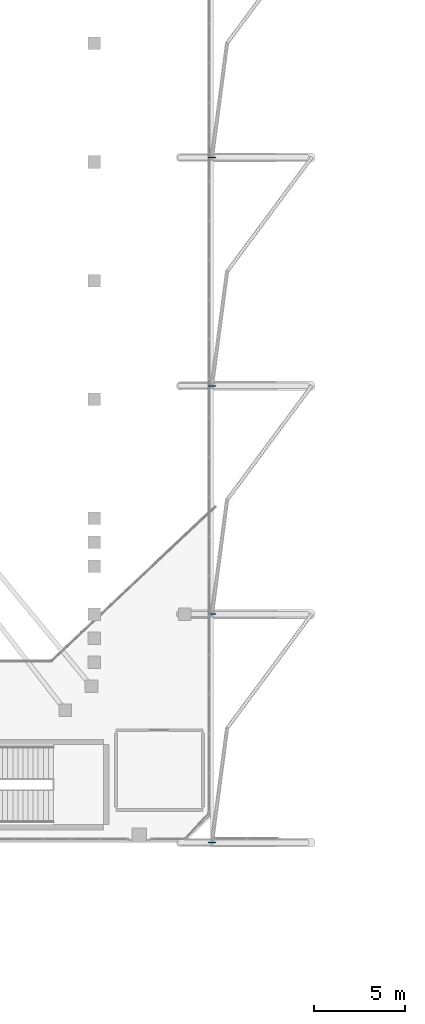
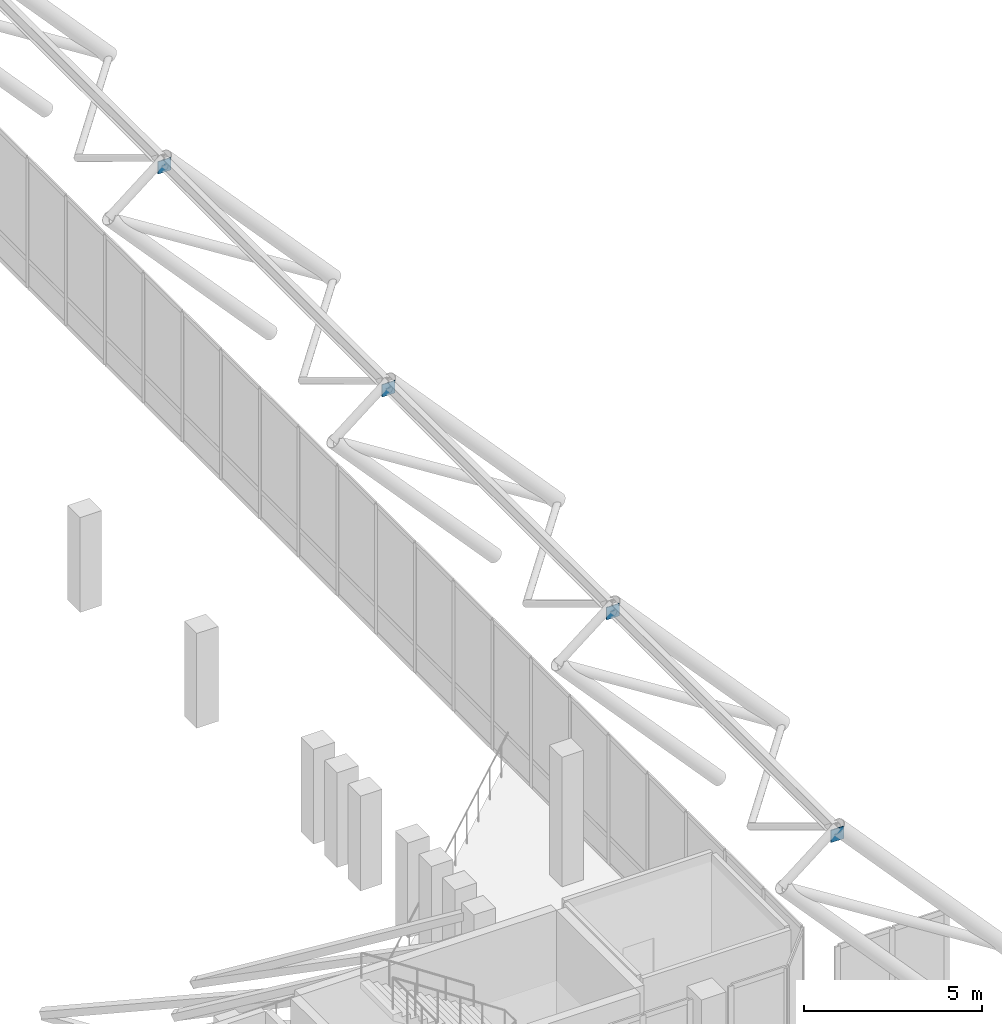
# One storey, part 52 of 79: 4 plates.
"""IFC4 building model written with IfcOpenShell, lengths in metres."""

from ifc_helpers import new_model, si_unit, derived_unit, direction, frame, origin, origin_2d, place, context, subcontext, project, spatial, rectangle, extrude, material, layer, layer_set, type_object, element, save


model = new_model("IFC4")

# Units and contexts
model_context = context("Model", 3, precision=1e-05, world=origin(), true_north=direction((0.0, 1.0)))
body_context = subcontext(model_context, "Body", "Model", "MODEL_VIEW")
ifc_project = project(units=[si_unit("LENGTHUNIT", "METRE"), si_unit("AREAUNIT", "SQUARE_METRE"), si_unit("VOLUMEUNIT", "CUBIC_METRE"), si_unit("PLANEANGLEUNIT", "RADIAN"), si_unit("MASSUNIT", "GRAM", prefix="KILO"), derived_unit("THERMALTRANSMITTANCEUNIT", [(si_unit("MASSUNIT", "GRAM", prefix="KILO"), 1), (si_unit("TIMEUNIT", "SECOND"), -3), (si_unit("THERMODYNAMICTEMPERATUREUNIT", "KELVIN"), -1)])], contexts=[model_context])

# Site, building, storey
site_placement = place(None, origin())
site = spatial("IfcSite", under=ifc_project, at=site_placement, CompositionType="ELEMENT")
building_placement = place(site_placement, origin())
building = spatial("IfcBuilding", under=site, at=building_placement, Name="Valcora Ridge Arena", CompositionType="ELEMENT")
storey_placement = place(building_placement, frame((0.0, 0.0, 16.199951171875)))
storey = spatial("IfcBuildingStorey", under=building, at=storey_placement, Name="L03", CompositionType="ELEMENT", Elevation=16.199951171875)

# Plates
ifc_material = material(Name="Steel ASTM A572 Grade 50", Category="steel")
ifc_layer = layer(ifc_material, 0.031982421875, Name="Steel ASTM A572 Grade 50")
ifc_layer_set = layer_set([ifc_layer], Name="Steel ASTM A572 Grade 50")
plate_type = type_object("IfcPlateType", Name="TY-PLATE-PL-NODE-32", PredefinedType="USERDEFINED", material=ifc_layer_set)
for number, where, z_axis, x_axis, name in (
    (1, (95.5, 20.0, 8.374267578125), (0.0, 0.0, 1.0), (1.0, 0.0, 0.0), "PL-NODE-32 SF-GP-0012"),
    (2, (95.5, 32.60009765625, 8.374267578125), (0.0, 0.0, 1.0), (1.0, 0.0, 0.0), "PL-NODE-32 SF-GP-0026"),
    (3, (95.5, 45.199951171875, 8.374267578125), (0.0, 0.0, 1.0), (1.0, 0.0, 0.0), "PL-NODE-32 SF-GP-0040"),
    (4, (95.5, 57.800048828125, 8.374267578125), (0.0, 0.0, 1.0), (1.0, 0.0, 0.0), "PL-NODE-32 SF-GP-0054"),
):
    element("IfcPlate", number, at=place(storey_placement, frame(where, z_axis=z_axis, x_axis=x_axis)), inside=storey, type_object=plate_type, Name=name, ObjectType="GUSSET_PLATE", PredefinedType="USERDEFINED", context=body_context, shape_type="SweptSolid", body=[
        extrude(rectangle(XDim=0.419921875, YDim=0.031982421875, at=origin_2d()), origin(), (0.0, 0.0, 1.0), 0.419921875),
    ])

save(model, "model.ifc")
